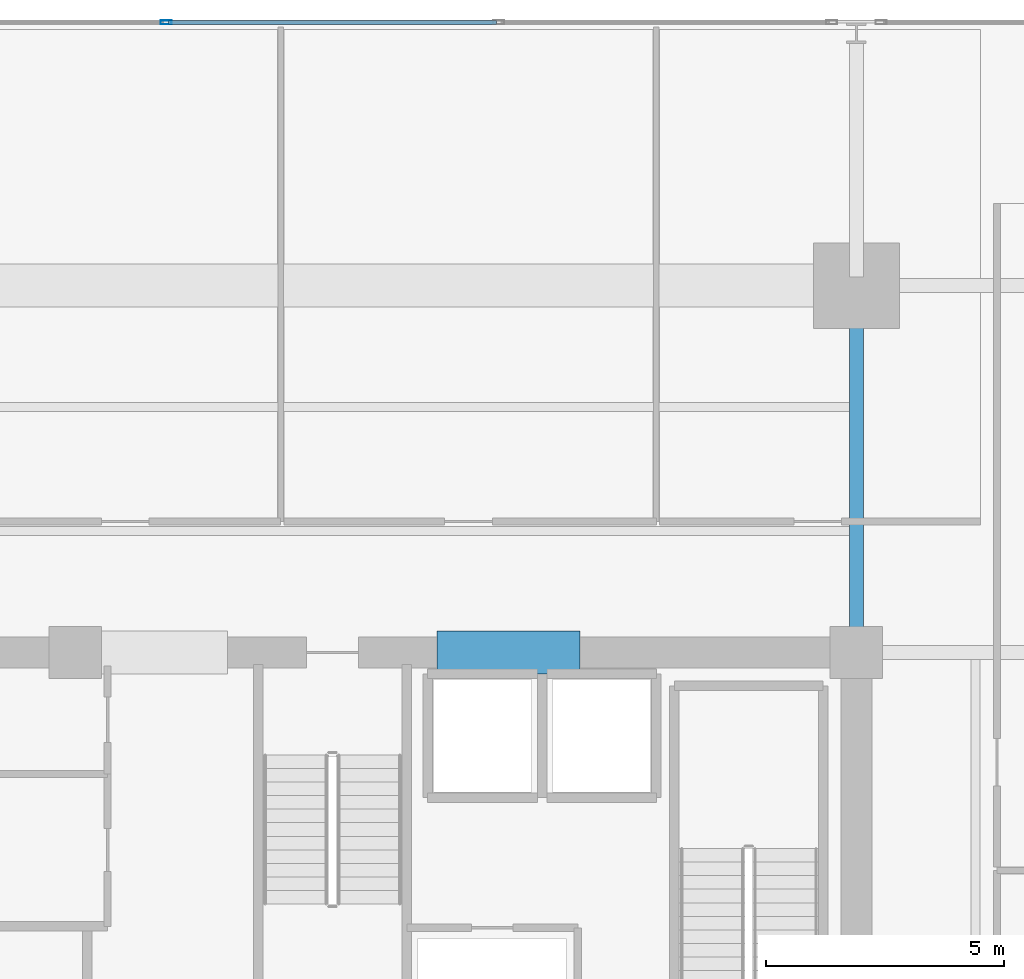
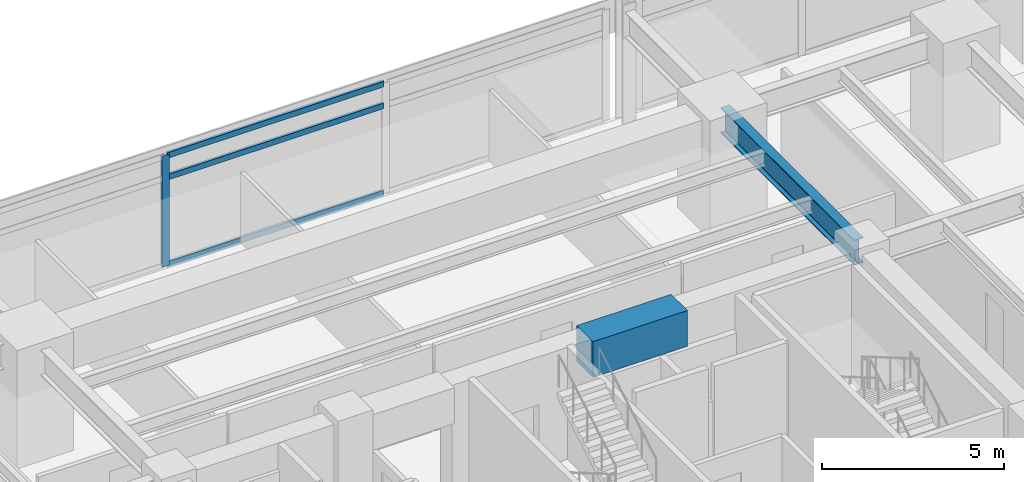
# One storey, part 10 of 23: 4 members, 2 beams, 1 element without a shape of its own.
"""IFC4 building model written with IfcOpenShell, lengths in metres."""

from ifc_helpers import new_model, si_unit, direction, frame, origin, origin_2d, place, context, subcontext, project, spatial, rectangle, hollow_rectangle, i_section, extrude, material, material_profile, profile_set, type_object, element, aggregate, save


model = new_model("IFC4")

# Units and contexts
model_context = context("Model", 3, precision=1e-05, world=origin(), true_north=direction((0.0, 1.0)))
body_context = subcontext(model_context, "Body", "Model", "MODEL_VIEW")
ifc_project = project(units=[si_unit("LENGTHUNIT", "METRE"), si_unit("AREAUNIT", "SQUARE_METRE"), si_unit("VOLUMEUNIT", "CUBIC_METRE"), si_unit("PLANEANGLEUNIT", "RADIAN"), si_unit("MASSUNIT", "GRAM", prefix="KILO")], contexts=[model_context])

# Site, building, storey
site_placement = place(None, origin())
site = spatial("IfcSite", under=ifc_project, at=site_placement, CompositionType="ELEMENT")
building_placement = place(site_placement, origin())
building = spatial("IfcBuilding", under=site, at=building_placement, Name="Kovane Verandah Tower", CompositionType="ELEMENT")
storey_placement = place(building_placement, frame((0.0, 0.0, 55.60009765625)))
storey = spatial("IfcBuildingStorey", under=building, at=storey_placement, Name="L12", CompositionType="ELEMENT", Elevation=55.60009765625)

# Beams
ifc_material_1 = material(Name="Concrete C80/95", Category="concrete")
ifc_material_profile_1 = material_profile(ifc_material_1, rectangle(XDim=0.89990234375, YDim=1.199951171875, at=origin_2d()), Name="RCB900x1200")
ifc_profile_set_1 = profile_set([ifc_material_profile_1], Name="Concrete C80/95")
beam_type_1 = type_object("IfcBeamType", Name="BM-LINTEL-900x1200", PredefinedType="LINTEL", material=ifc_profile_set_1)
beam_1_placement = place(storey_placement, frame((42.199951171875, 36.5, 3.159912109375), z_axis=(1.0, 0.0, 0.0), x_axis=(0.0, 1.0, 0.0)))
element("IfcBeam", 1, at=beam_1_placement, inside=storey, type_object=beam_type_1, Name="L12 Core Coupling Lintel CL-N2", PredefinedType="LINTEL", context=body_context, shape_type="SweptSolid", body=[
    extrude(rectangle(XDim=0.89990234375, YDim=1.199951171875, at=origin_2d()), origin(), (0.0, 0.0, 1.0), 3.0),
])
ifc_material_2 = material(Name="Steel S355", Category="steel")
ifc_material_profile_2 = material_profile(ifc_material_2, i_section(OverallWidth=0.293701171875, OverallDepth=0.850830078125, WebThickness=0.01611328125, FlangeThickness=0.02685546875, FilletRadius=0.017822265625, at=origin_2d()), Name="UB838x292x226")
ifc_profile_set_2 = profile_set([ifc_material_profile_2], Name="Steel S355")
beam_type_2 = type_object("IfcBeamType", Name="BM-UB838x226", PredefinedType="BEAM", material=ifc_profile_set_2)
beam_2_placement = place(storey_placement, frame((51.0, 36.679931640625, 3.33447265625), z_axis=(0.0, 1.0, 0.0), x_axis=(-1.0, 0.0, 0.0)))
element("IfcBeam", 2, at=beam_2_placement, inside=storey, type_object=beam_type_2, Name="L12 Primary Tower Girder G-N2", PredefinedType="BEAM", context=body_context, shape_type="SweptSolid", body=[
    extrude(i_section(OverallWidth=0.293701171875, OverallDepth=0.850830078125, WebThickness=0.01611328125, FlangeThickness=0.02685546875, FilletRadius=0.017822265625, at=origin_2d()), origin(), (0.0, 0.0, 1.0), 7.340087890625),
])

# Curtain wall, members
ifc_material_3 = material(Name="Champagne Anodised Aluminium Frame with Low-E Clear Laminated Glass", Category="aluminium")
curtain_wall_type = type_object("IfcCurtainWallType", Name="CW-SYS-02-LOW", PredefinedType="NOTDEFINED", material=ifc_material_3)
curtain_wall_placement = place(storey_placement, origin())
curtain_wall = element("IfcCurtainWall", 3, at=curtain_wall_placement, inside=storey, type_object=curtain_wall_type, Name="L12 N Unitised Curtain Wall-2", PredefinedType="NOTDEFINED")
ifc_material_4 = material(Name="Champagne Anodised Aluminium 6063-T6", Category="aluminium")
ifc_material_profile_3 = material_profile(ifc_material_4, hollow_rectangle(XDim=0.0849609375, YDim=0.22998046875, WallThickness=0.00390625, at=origin_2d()), Name="AL85x230x4")
ifc_profile_set_3 = profile_set([ifc_material_profile_3], Name="Champagne Anodised Aluminium 6063-T6")
member_type_1 = type_object("IfcMemberType", Name="CW-MUL-85x230", PredefinedType="MULLION", material=ifc_profile_set_3)
member_1_placement = place(storey_placement, frame((36.506591796875, 49.727294921875, 0.02001953125), z_axis=(0.0, 0.0, 1.0), x_axis=(0.0, 1.0, 0.0)))
member_1 = element("IfcMember", 4, at=member_1_placement, type_object=member_type_1, Name="L12 N Unitised Curtain Wall-2 Mullion 3", PredefinedType="MULLION", context=body_context, shape_type="SweptSolid", body=[
    extrude(hollow_rectangle(XDim=0.0849609375, YDim=0.22998046875, WallThickness=0.00390625, at=origin_2d()), origin(), (0.0, 0.0, 1.0), 3.719970703125),
])
ifc_material_profile_4 = material_profile(ifc_material_4, hollow_rectangle(XDim=0.0849609375, YDim=0.18994140625, WallThickness=0.00390625, at=origin_2d()), Name="AL85x190x4")
ifc_profile_set_4 = profile_set([ifc_material_profile_4], Name="Champagne Anodised Aluminium 6063-T6")
member_type_2 = type_object("IfcMemberType", Name="CW-TRN-85x190", PredefinedType="USERDEFINED", material=ifc_profile_set_4)
member_2_placement = place(storey_placement, frame((43.443359375, 49.727294921875, 0.0498046875), z_axis=(-1.0, 0.0, 0.0), x_axis=(0.0, -1.0, 0.0)))
member_2 = element("IfcMember", 5, at=member_2_placement, type_object=member_type_2, Name="L12 N Unitised Curtain Wall-2 Transom TB Bay 2", ObjectType="TRANSOM", PredefinedType="USERDEFINED", context=body_context, shape_type="SweptSolid", body=[
    extrude(hollow_rectangle(XDim=0.0849609375, YDim=0.18994140625, WallThickness=0.00390625, at=origin_2d()), origin(), (0.0, 0.0, 1.0), 6.88671875),
])
member_3_placement = place(storey_placement, frame((43.443359375, 49.727294921875, 2.97998046875), z_axis=(-1.0, 0.0, 0.0), x_axis=(0.0, -1.0, 0.0)))
member_3 = element("IfcMember", 6, at=member_3_placement, type_object=member_type_2, Name="L12 N Unitised Curtain Wall-2 Transom TM Bay 2", ObjectType="TRANSOM", PredefinedType="USERDEFINED", context=body_context, shape_type="SweptSolid", body=[
    extrude(hollow_rectangle(XDim=0.0849609375, YDim=0.18994140625, WallThickness=0.00390625, at=origin_2d()), origin(), (0.0, 0.0, 1.0), 6.88671875),
])
member_4_placement = place(storey_placement, frame((43.443359375, 49.727294921875, 3.7099609375), z_axis=(-1.0, 0.0, 0.0), x_axis=(0.0, -1.0, 0.0)))
member_4 = element("IfcMember", 7, at=member_4_placement, type_object=member_type_2, Name="L12 N Unitised Curtain Wall-2 Transom TT Bay 2", ObjectType="TRANSOM", PredefinedType="USERDEFINED", context=body_context, shape_type="SweptSolid", body=[
    extrude(hollow_rectangle(XDim=0.0849609375, YDim=0.18994140625, WallThickness=0.00390625, at=origin_2d()), origin(), (0.0, 0.0, 1.0), 6.88671875),
])
aggregate(curtain_wall, [member_1, member_2, member_3, member_4])

save(model, "model.ifc")
